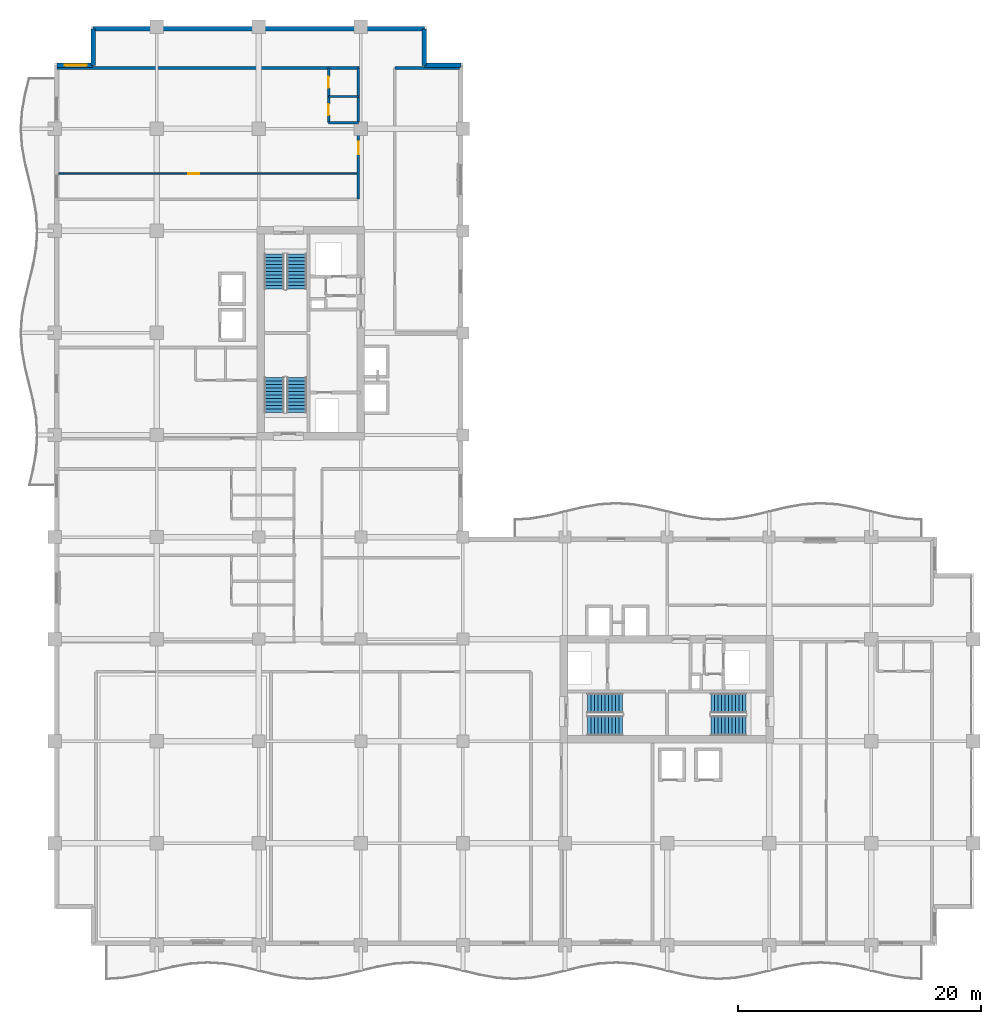
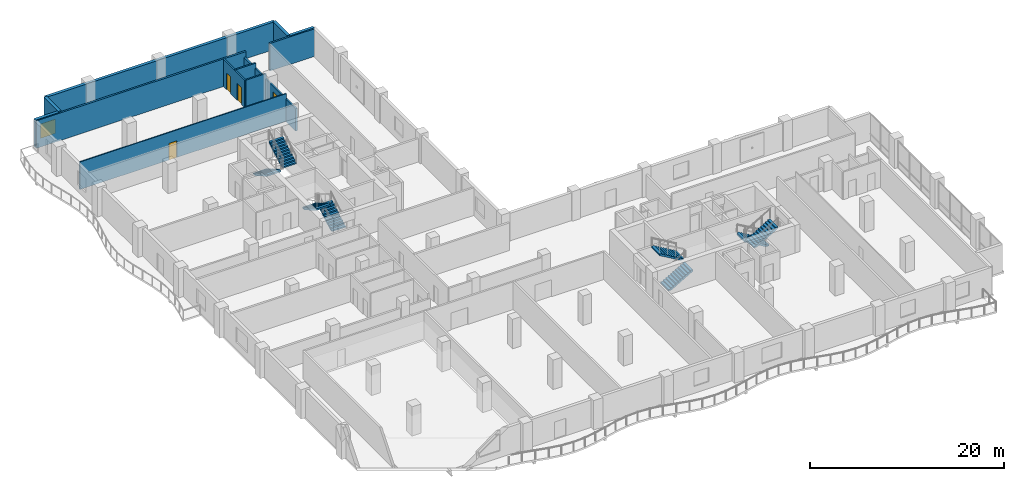
# One storey, part 14 of 20: 12 walls, 8 stair flights, 4 doors, 1 window, 5 openings, 4 elements without a shape of their own.
"""IFC4 building model written with IfcOpenShell, lengths in metres."""

from ifc_helpers import new_model, si_unit, direction, frame, frame_2d, origin, place, context, subcontext, project, spatial, polyline, rectangle, outline, extrude, material, layer, layer_set, type_object, element, fill, aggregate, save


model = new_model("IFC4")

# Units and contexts
model_context = context("Model", 3, precision=1e-05, world=origin(), true_north=direction((0.0, 1.0)))
body_context = subcontext(model_context, "Body", "Model", "MODEL_VIEW")
ifc_project = project(units=[si_unit("LENGTHUNIT", "METRE"), si_unit("AREAUNIT", "SQUARE_METRE"), si_unit("VOLUMEUNIT", "CUBIC_METRE"), si_unit("PLANEANGLEUNIT", "RADIAN"), si_unit("MASSUNIT", "GRAM", prefix="KILO")], contexts=[model_context])

# Site, building, storey
site_placement = place(None, origin())
site = spatial("IfcSite", under=ifc_project, at=site_placement, CompositionType="ELEMENT")
building_placement = place(site_placement, origin())
building = spatial("IfcBuilding", under=site, at=building_placement, Name="Koriwani Terraces Tower", CompositionType="ELEMENT")
storey_placement = place(building_placement, frame((0.0, 0.0, 212.39990234375)))
storey = spatial("IfcBuildingStorey", under=building, at=storey_placement, Name="L52", CompositionType="ELEMENT", Elevation=212.39990234375)

# Wall, opening, door
ifc_material_1 = material(Name="Autoclaved Cellular Concrete Blockwork", Category="masonry")
ifc_layer_1 = layer(ifc_material_1, 0.199951171875, Name="Autoclaved Cellular Concrete Blockwork")
ifc_layer_set_1 = layer_set([ifc_layer_1], Name="Autoclaved Cellular Concrete Blockwork")
wall_type_1 = type_object("IfcWallType", Name="WALL_CORRIDOR_200", PredefinedType="PARTITIONING", material=ifc_layer_set_1)
wall_1_placement = place(storey_placement, frame((25.0, 61.39990234375, 0.0), z_axis=(0.0, 0.0, 1.0), x_axis=(0.0, 1.0, 0.0)))
wall_1 = element("IfcWall", 1, at=wall_1_placement, inside=storey, type_object=wall_type_1, Name="L52 Interior Wall WRCOR-L52-NE-0", PredefinedType="PARTITIONING", context=body_context, shape_type="SweptSolid", body=[
    extrude(rectangle(XDim=10.800048828125, YDim=0.199951171875, at=frame_2d((5.39990234375, 0.0))), origin(), (0.0, 0.0, 1.0), 2.820068359375),
])
opening_1_placement = place(wall_1_placement, frame((3.719970703125, 0.0, 0.0)))
opening_1 = element("IfcOpeningElement", 2, at=opening_1_placement, cuts=wall_1, Name="Opening D-05", PredefinedType="OPENING", context=body_context, shape_type="SweptSolid", body=[
    extrude(rectangle(XDim=1.0, YDim=2.14990234375, at=frame_2d((0.5, 1.074951171875))), frame((0.0, 0.10986328125, 0.0), z_axis=(0.0, -1.0, 0.0), x_axis=(1.0, 0.0, 0.0)), (0.0, 0.0, 1.0), 0.219970703125),
])
ifc_material_2 = material(Name="Architectural Oak Fire Door", Category="wood")
door_type_1 = type_object("IfcDoorType", Name="DOOR_SUITE_ENTRY_1000X2150", OperationType="NOTDEFINED", PredefinedType="DOOR", material=ifc_material_2)
door_1_placement = place(opening_1_placement, origin())
door_1 = element("IfcDoor", 3, at=door_1_placement, inside=storey, type_object=door_type_1, Name="Apartment 52NE1 Entrance Door", OperationType="SINGLE_SWING_LEFT", OverallHeight=2.14990234375, OverallWidth=1.0, PredefinedType="DOOR", context=body_context, shape_type="SweptSolid", body=[
    extrude(rectangle(XDim=1.0, YDim=2.14990234375, at=frame_2d((0.5, 1.074951171875))), frame((0.0, 0.02490234375, 0.0), z_axis=(0.0, -1.0, 0.0), x_axis=(1.0, 0.0, 0.0)), (0.0, 0.0, 1.0), 0.050048828125),
])
fill(opening_1, door_1)

# Walls
ifc_layer_2 = layer(ifc_material_1, 0.219970703125, Name="Autoclaved Cellular Concrete Blockwork")
ifc_layer_set_2 = layer_set([ifc_layer_2], Name="Autoclaved Cellular Concrete Blockwork")
wall_type_2 = type_object("IfcWallType", Name="WALL_DEMISING_220", PredefinedType="PARTITIONING", material=ifc_layer_set_2)
wall_2_placement = place(storey_placement, frame((0.199951171875, 72.199951171875, 0.0), z_axis=(0.0, 0.0, 1.0), x_axis=(1.0, 0.0, 0.0)))
element("IfcWall", 4, at=wall_2_placement, inside=storey, type_object=wall_type_2, Name="L52 Interior Wall WRDEME-L52-NE", PredefinedType="PARTITIONING", context=body_context, shape_type="SweptSolid", body=[
    extrude(rectangle(XDim=24.97998046875, YDim=0.219970703125, at=frame_2d((12.489990234375, 0.0))), origin(), (0.0, 0.0, 1.0), 3.47021484375),
])
wall_3_placement = place(storey_placement, frame((28.0, 72.199951171875, 0.0), z_axis=(0.0, 0.0, 1.0), x_axis=(1.0, 0.0, 0.0)))
element("IfcWall", 5, at=wall_3_placement, inside=storey, type_object=wall_type_2, Name="L52 Interior Wall WNEC-N-L52", PredefinedType="PARTITIONING", context=body_context, shape_type="SweptSolid", body=[
    extrude(rectangle(XDim=5.300048828125, YDim=0.219970703125, at=frame_2d((2.64990234375, 0.0))), origin(), (0.0, 0.0, 1.0), 3.47021484375),
])

# Wall, opening, window
ifc_material_3 = material(Name="Concrete C50/60", Category="concrete")
ifc_layer_3 = layer(ifc_material_3, 0.35009765625, Name="Concrete C50/60")
ifc_layer_set_3 = layer_set([ifc_layer_3], Name="Concrete C50/60")
wall_type_3 = type_object("IfcWallType", Name="WALL_EXT_BRUTALIST_350", PredefinedType="STANDARD", material=ifc_layer_set_3)
wall_4_placement = place(storey_placement, frame((0.175048828125, 72.425048828125, 0.0), z_axis=(0.0, 0.0, 1.0), x_axis=(1.0, 0.0, 0.0)))
wall_4 = element("IfcWall", 6, at=wall_4_placement, inside=storey, type_object=wall_type_3, Name="L52 Fair-Faced Brutalist Exterior Wall (N3)", PredefinedType="STANDARD", context=body_context, shape_type="SweptSolid", body=[
    extrude(rectangle(XDim=3.0, YDim=0.35009765625, at=frame_2d((1.5, 0.0))), origin(), (0.0, 0.0, 1.0), 3.47021484375),
])
opening_2_placement = place(wall_4_placement, frame((0.677490234375, 0.0, 0.85009765625)))
opening_2 = element("IfcOpeningElement", 7, at=opening_2_placement, cuts=wall_4, Name="Opening W-04", PredefinedType="OPENING", context=body_context, shape_type="SweptSolid", body=[
    extrude(rectangle(XDim=1.800048828125, YDim=1.800048828125, at=frame_2d((0.89990234375, 0.89990234375))), frame((0.0, 0.18505859375, 0.0), z_axis=(0.0, -1.0, 0.0), x_axis=(1.0, 0.0, 0.0)), (0.0, 0.0, 1.0), 0.3701171875),
])
ifc_material_4 = material(Name="Tempered Laminated Low-E Glass", Category="glass")
window_type = type_object("IfcWindowType", Name="WIN_RES_BED_1800X1800", PartitioningType="DOUBLE_PANEL_VERTICAL", PredefinedType="WINDOW", material=ifc_material_4)
window_placement = place(opening_2_placement, origin())
window = element("IfcWindow", 8, at=window_placement, inside=storey, type_object=window_type, Name="L52 Exterior Window (N3-R45)", OverallHeight=1.800048828125, OverallWidth=1.800048828125, PartitioningType="SINGLE_PANEL", PredefinedType="WINDOW", context=body_context, shape_type="SweptSolid", body=[
    extrude(rectangle(XDim=1.800048828125, YDim=1.800048828125, at=frame_2d((0.89990234375, 0.89990234375))), frame((0.0, 0.030029296875, 0.0), z_axis=(0.0, -1.0, 0.0), x_axis=(1.0, 0.0, 0.0)), (0.0, 0.0, 1.0), 0.06005859375),
])
fill(opening_2, window)

# Walls
wall_5_placement = place(storey_placement, frame((3.175048828125, 72.425048828125, 0.0), z_axis=(0.0, 0.0, 1.0), x_axis=(0.0, 1.0, 0.0)))
element("IfcWall", 9, at=wall_5_placement, inside=storey, type_object=wall_type_3, Name="L52 Fair-Faced Brutalist Exterior Wall (N4)", PredefinedType="STANDARD", context=body_context, shape_type="SweptSolid", body=[
    extrude(rectangle(XDim=3.0, YDim=0.35009765625, at=frame_2d((1.5, 0.0))), origin(), (0.0, 0.0, 1.0), 3.47021484375),
])
wall_6_placement = place(storey_placement, frame((3.175048828125, 75.425048828125, 0.0), z_axis=(0.0, 0.0, 1.0), x_axis=(1.0, 0.0, 0.0)))
element("IfcWall", 10, at=wall_6_placement, inside=storey, type_object=wall_type_3, Name="L52 Fair-Faced Brutalist Exterior Wall (N_TIP)", PredefinedType="STANDARD", context=body_context, shape_type="SweptSolid", body=[
    extrude(rectangle(XDim=27.25, YDim=0.35009765625, at=frame_2d((13.625, 0.0))), origin(), (0.0, 0.0, 1.0), 3.47021484375),
])
for number, where, z_axis, x_axis, name in (
    (11, (30.425048828125, 75.425048828125, 0.0), (0.0, 0.0, 1.0), (0.0, -1.0, 0.0), "L52 Fair-Faced Brutalist Exterior Wall (N6)"),
    (12, (30.425048828125, 72.425048828125, 0.0), (0.0, 0.0, 1.0), (1.0, 0.0, 0.0), "L52 Fair-Faced Brutalist Exterior Wall (N7)"),
):
    element("IfcWall", number, at=place(storey_placement, frame(where, z_axis=z_axis, x_axis=x_axis)), inside=storey, type_object=wall_type_3, Name=name, PredefinedType="STANDARD", context=body_context, shape_type="SweptSolid", body=[
        extrude(rectangle(XDim=3.0, YDim=0.35009765625, at=frame_2d((1.5, 0.0))), origin(), (0.0, 0.0, 1.0), 3.47021484375),
    ])

# Wall, opening, door
ifc_material_5 = material(Name="Fire-Rated Acoustic Gypsum Partition", Category="masonry")
ifc_layer_4 = layer(ifc_material_5, 0.125, Name="Fire-Rated Acoustic Gypsum Partition")
ifc_layer_set_4 = layer_set([ifc_layer_4], Name="Fire-Rated Acoustic Gypsum Partition")
wall_type_4 = type_object("IfcWallType", Name="WALL_INT_125", PredefinedType="PARTITIONING", material=ifc_layer_set_4)
wall_7_placement = place(storey_placement, frame((0.35009765625, 63.5, 0.0), z_axis=(0.0, 0.0, 1.0), x_axis=(1.0, 0.0, 0.0)))
wall_7 = element("IfcWall", 13, at=wall_7_placement, inside=storey, type_object=wall_type_4, Name="L52 Interior Wall WRBED1-L52-NE-0", PredefinedType="PARTITIONING", context=body_context, shape_type="SweptSolid", body=[
    extrude(rectangle(XDim=24.64990234375, YDim=0.125, at=frame_2d((12.324951171875, 0.0))), origin(), (0.0, 0.0, 1.0), 3.47021484375),
])
opening_3_placement = place(wall_7_placement, frame((10.639892578125, 0.0, 0.0)))
opening_3 = element("IfcOpeningElement", 14, at=opening_3_placement, cuts=wall_7, Name="Opening D-06", PredefinedType="OPENING", context=body_context, shape_type="SweptSolid", body=[
    extrude(rectangle(XDim=0.919921875, YDim=2.10009765625, at=frame_2d((0.4599609375, 1.050048828125))), frame((0.0, 0.072509765625, 0.0), z_axis=(0.0, -1.0, 0.0), x_axis=(1.0, 0.0, 0.0)), (0.0, 0.0, 1.0), 0.14501953125),
])
door_type_2 = type_object("IfcDoorType", Name="DOOR_ROOM_INT_920X2100", OperationType="NOTDEFINED", PredefinedType="DOOR", material=ifc_material_2)
door_2_placement = place(opening_3_placement, origin())
door_2 = element("IfcDoor", 15, at=door_2_placement, inside=storey, type_object=door_type_2, Name="Apartment 52NE1 Master Bedroom Door", OperationType="SINGLE_SWING_RIGHT", OverallHeight=2.10009765625, OverallWidth=0.919921875, PredefinedType="DOOR", context=body_context, shape_type="SweptSolid", body=[
    extrude(rectangle(XDim=0.919921875, YDim=2.10009765625, at=frame_2d((0.4599609375, 1.050048828125))), frame((0.0, 0.02490234375, 0.0), z_axis=(0.0, -1.0, 0.0), x_axis=(1.0, 0.0, 0.0)), (0.0, 0.0, 1.0), 0.050048828125),
])
fill(opening_3, door_2)

# Wall, openings, doors
ifc_layer_5 = layer(ifc_material_5, 0.179931640625, Name="Fire-Rated Acoustic Gypsum Partition")
ifc_layer_set_5 = layer_set([ifc_layer_5], Name="Fire-Rated Acoustic Gypsum Partition")
wall_type_5 = type_object("IfcWallType", Name="WALL_PLUMBING_180", PredefinedType="PLUMBINGWALL", material=ifc_layer_set_5)
wall_8_placement = place(storey_placement, frame((22.550048828125, 67.699951171875, 0.0), z_axis=(0.0, 0.0, 1.0), x_axis=(0.0, 1.0, 0.0)))
wall_8 = element("IfcWall", 16, at=wall_8_placement, inside=storey, type_object=wall_type_5, Name="L52 Interior Wall WRSVC-L52-NE-0", PredefinedType="PLUMBINGWALL", context=body_context, shape_type="SweptSolid", body=[
    extrude(rectangle(XDim=4.5, YDim=0.179931640625, at=frame_2d((2.25, 0.0))), origin(), (0.0, 0.0, 1.0), 3.47021484375),
])
opening_4_placement = place(wall_8_placement, frame((0.6298828125, 0.0, 0.0)))
opening_4 = element("IfcOpeningElement", 17, at=opening_4_placement, cuts=wall_8, Name="Opening D-07", PredefinedType="OPENING", context=body_context, shape_type="SweptSolid", body=[
    extrude(rectangle(XDim=0.89990234375, YDim=2.10009765625, at=frame_2d((0.449951171875, 1.050048828125))), frame((0.0, 0.10009765625, 0.0), z_axis=(0.0, -1.0, 0.0), x_axis=(1.0, 0.0, 0.0)), (0.0, 0.0, 1.0), 0.199951171875),
])
opening_5_placement = place(wall_8_placement, frame((2.8701171875, 0.0, 0.0)))
opening_5 = element("IfcOpeningElement", 18, at=opening_5_placement, cuts=wall_8, Name="Opening D-06", PredefinedType="OPENING", context=body_context, shape_type="SweptSolid", body=[
    extrude(rectangle(XDim=0.919921875, YDim=2.10009765625, at=frame_2d((0.4599609375, 1.050048828125))), frame((0.0, 0.10009765625, 0.0), z_axis=(0.0, -1.0, 0.0), x_axis=(1.0, 0.0, 0.0)), (0.0, 0.0, 1.0), 0.199951171875),
])
door_type_3 = type_object("IfcDoorType", Name="DOOR_BATH_INT_900X2100", OperationType="NOTDEFINED", PredefinedType="DOOR", material=ifc_material_2)
door_3_placement = place(opening_4_placement, origin())
door_3 = element("IfcDoor", 19, at=door_3_placement, inside=storey, type_object=door_type_3, Name="Apartment 52NE1 Bathroom Door", OperationType="SINGLE_SWING_RIGHT", OverallHeight=2.10009765625, OverallWidth=0.89990234375, PredefinedType="DOOR", context=body_context, shape_type="SweptSolid", body=[
    extrude(rectangle(XDim=0.89990234375, YDim=2.10009765625, at=frame_2d((0.449951171875, 1.050048828125))), frame((0.0, 0.02490234375, 0.0), z_axis=(0.0, -1.0, 0.0), x_axis=(1.0, 0.0, 0.0)), (0.0, 0.0, 1.0), 0.050048828125),
])
fill(opening_4, door_3)
door_4_placement = place(opening_5_placement, origin())
door_4 = element("IfcDoor", 20, at=door_4_placement, inside=storey, type_object=door_type_2, Name="Apartment 52NE1 Kitchen Door", OperationType="SINGLE_SWING_LEFT", OverallHeight=2.10009765625, OverallWidth=0.919921875, PredefinedType="DOOR", context=body_context, shape_type="SweptSolid", body=[
    extrude(rectangle(XDim=0.919921875, YDim=2.10009765625, at=frame_2d((0.4599609375, 1.050048828125))), frame((0.0, 0.02490234375, 0.0), z_axis=(0.0, -1.0, 0.0), x_axis=(1.0, 0.0, 0.0)), (0.0, 0.0, 1.0), 0.050048828125),
])
fill(opening_5, door_4)

# Walls
for number, where, z_axis, x_axis, name in (
    (21, (22.550048828125, 67.699951171875, 0.0), (0.0, 0.0, 1.0), (1.0, 0.0, 0.0), "L52 Interior Wall WRSVCS-L52-NE-0"),
    (22, (22.550048828125, 69.860107421875, 0.0), (0.0, 0.0, 1.0), (1.0, 0.0, 0.0), "L52 Interior Wall WRSVCM-L52-NE-0"),
):
    element("IfcWall", number, at=place(storey_placement, frame(where, z_axis=z_axis, x_axis=x_axis)), inside=storey, type_object=wall_type_5, Name=name, PredefinedType="PLUMBINGWALL", context=body_context, shape_type="SweptSolid", body=[
        extrude(rectangle(XDim=2.449951171875, YDim=0.179931640625, at=frame_2d((1.22509765625, 0.0))), origin(), (0.0, 0.0, 1.0), 3.47021484375),
    ])

# Stair, stair flights
ifc_material_6 = material(Name="Concrete C40/50", Category="concrete")
stair_type = type_object("IfcStairType", Name="STAIR_CORE_DOGLEG_1650", PredefinedType="TWO_STRAIGHT_RUN_STAIR", material=ifc_material_6)
stair_1_placement = place(storey_placement, origin())
stair_1 = element("IfcStair", 23, at=stair_1_placement, inside=storey, type_object=stair_type, Name="L52 West Core Exit Stair 1", PredefinedType="HALF_TURN_STAIR")
stair_flight_type = type_object("IfcStairFlightType", Name="STAIR_FLIGHT_RC_1650", PredefinedType="STRAIGHT", material=ifc_material_6)
stair_flight_1_placement = place(storey_placement, frame((19.925048828125, 43.85009765625, 0.0), z_axis=(0.0, 0.0, 1.0), x_axis=(0.0, 1.0, 0.0)))
stair_flight_1 = element("IfcStairFlight", 24, at=stair_flight_1_placement, type_object=stair_flight_type, Name="ST-W1 flight 1", NumberOfRisers=11, NumberOfTreads=10, PredefinedType="STRAIGHT", RiserHeight=0.168181818, TreadLength=0.29, context=body_context, shape_type="SweptSolid", body=[
    extrude(outline(polyline([(0.0, 0.0), (0.0, 0.168212890625), (0.2900390625, 0.168212890625), (0.2900390625, 0.33642578125), (0.580078125, 0.33642578125), (0.580078125, 0.504638671875), (0.8701171875, 0.504638671875), (0.8701171875, 0.672607421875), (1.159912109375, 0.672607421875), (1.159912109375, 0.8408203125), (1.449951171875, 0.8408203125), (1.449951171875, 1.009033203125), (1.739990234375, 1.009033203125), (1.739990234375, 1.17724609375), (2.030029296875, 1.17724609375), (2.030029296875, 1.345458984375), (2.320068359375, 1.345458984375), (2.320068359375, 1.513671875), (2.610107421875, 1.513671875), (2.610107421875, 1.681884765625), (2.89990234375, 1.681884765625), (2.89990234375, 1.85009765625), (2.89990234375, 1.473876953125), (0.358642578125, 0.0), (0.0, 0.0)])), frame((0.0, 0.824951171875, 0.0), z_axis=(0.0, -1.0, 0.0), x_axis=(1.0, 0.0, 0.0)), (0.0, 0.0, 1.0), 1.64990234375),
])
stair_flight_2_placement = place(storey_placement, frame((18.074951171875, 46.75, 1.85009765625), z_axis=(0.0, 0.0, 1.0), x_axis=(0.0, -1.0, 0.0)))
stair_flight_2 = element("IfcStairFlight", 25, at=stair_flight_2_placement, type_object=stair_flight_type, Name="ST-W1 flight 2", NumberOfRisers=11, NumberOfTreads=10, PredefinedType="STRAIGHT", RiserHeight=0.168181818, TreadLength=0.29, context=body_context, shape_type="SweptSolid", body=[
    extrude(outline(polyline([(0.0, 0.0), (0.0, 0.168212890625), (0.2900390625, 0.168212890625), (0.2900390625, 0.33642578125), (0.580078125, 0.33642578125), (0.580078125, 0.504638671875), (0.8701171875, 0.504638671875), (0.8701171875, 0.672607421875), (1.159912109375, 0.672607421875), (1.159912109375, 0.8408203125), (1.449951171875, 0.8408203125), (1.449951171875, 1.009033203125), (1.739990234375, 1.009033203125), (1.739990234375, 1.17724609375), (2.030029296875, 1.17724609375), (2.030029296875, 1.345458984375), (2.320068359375, 1.345458984375), (2.320068359375, 1.513671875), (2.610107421875, 1.513671875), (2.610107421875, 1.681884765625), (2.89990234375, 1.681884765625), (2.89990234375, 1.85009765625), (2.89990234375, 1.473876953125), (0.358642578125, 0.0), (0.0, 0.0)])), frame((0.0, 0.824951171875, 0.0), z_axis=(0.0, -1.0, 0.0), x_axis=(1.0, 0.0, 0.0)), (0.0, 0.0, 1.0), 1.64990234375),
])
aggregate(stair_1, [stair_flight_1, stair_flight_2])

stair_2_placement = place(storey_placement, origin())
stair_2 = element("IfcStair", 26, at=stair_2_placement, inside=storey, type_object=stair_type, Name="L52 West Core Exit Stair 2", PredefinedType="HALF_TURN_STAIR")
stair_flight_3_placement = place(storey_placement, frame((18.074951171875, 56.89990234375, 0.0), z_axis=(0.0, 0.0, 1.0), x_axis=(0.0, -1.0, 0.0)))
stair_flight_3 = element("IfcStairFlight", 27, at=stair_flight_3_placement, type_object=stair_flight_type, Name="ST-W2 flight 1", NumberOfRisers=11, NumberOfTreads=10, PredefinedType="STRAIGHT", RiserHeight=0.168181818, TreadLength=0.29, context=body_context, shape_type="SweptSolid", body=[
    extrude(outline(polyline([(0.0, 0.0), (0.0, 0.168212890625), (0.2900390625, 0.168212890625), (0.2900390625, 0.33642578125), (0.580078125, 0.33642578125), (0.580078125, 0.504638671875), (0.8701171875, 0.504638671875), (0.8701171875, 0.672607421875), (1.159912109375, 0.672607421875), (1.159912109375, 0.8408203125), (1.449951171875, 0.8408203125), (1.449951171875, 1.009033203125), (1.739990234375, 1.009033203125), (1.739990234375, 1.17724609375), (2.030029296875, 1.17724609375), (2.030029296875, 1.345458984375), (2.320068359375, 1.345458984375), (2.320068359375, 1.513671875), (2.610107421875, 1.513671875), (2.610107421875, 1.681884765625), (2.89990234375, 1.681884765625), (2.89990234375, 1.85009765625), (2.89990234375, 1.473876953125), (0.358642578125, 0.0), (0.0, 0.0)])), frame((0.0, 0.824951171875, 0.0), z_axis=(0.0, -1.0, 0.0), x_axis=(1.0, 0.0, 0.0)), (0.0, 0.0, 1.0), 1.64990234375),
])
stair_flight_4_placement = place(storey_placement, frame((19.925048828125, 54.0, 1.85009765625), z_axis=(0.0, 0.0, 1.0), x_axis=(0.0, 1.0, 0.0)))
stair_flight_4 = element("IfcStairFlight", 28, at=stair_flight_4_placement, type_object=stair_flight_type, Name="ST-W2 flight 2", NumberOfRisers=11, NumberOfTreads=10, PredefinedType="STRAIGHT", RiserHeight=0.168181818, TreadLength=0.29, context=body_context, shape_type="SweptSolid", body=[
    extrude(outline(polyline([(0.0, 0.0), (0.0, 0.168212890625), (0.2900390625, 0.168212890625), (0.2900390625, 0.33642578125), (0.580078125, 0.33642578125), (0.580078125, 0.504638671875), (0.8701171875, 0.504638671875), (0.8701171875, 0.672607421875), (1.159912109375, 0.672607421875), (1.159912109375, 0.8408203125), (1.449951171875, 0.8408203125), (1.449951171875, 1.009033203125), (1.739990234375, 1.009033203125), (1.739990234375, 1.17724609375), (2.030029296875, 1.17724609375), (2.030029296875, 1.345458984375), (2.320068359375, 1.345458984375), (2.320068359375, 1.513671875), (2.610107421875, 1.513671875), (2.610107421875, 1.681884765625), (2.89990234375, 1.681884765625), (2.89990234375, 1.85009765625), (2.89990234375, 1.473876953125), (0.358642578125, 0.0), (0.0, 0.0)])), frame((0.0, 0.824951171875, 0.0), z_axis=(0.0, -1.0, 0.0), x_axis=(1.0, 0.0, 0.0)), (0.0, 0.0, 1.0), 1.64990234375),
])
aggregate(stair_2, [stair_flight_3, stair_flight_4])

stair_3_placement = place(storey_placement, origin())
stair_3 = element("IfcStair", 29, at=stair_3_placement, inside=storey, type_object=stair_type, Name="L52 East Core Exit Stair 1", PredefinedType="HALF_TURN_STAIR")
stair_flight_5_placement = place(storey_placement, frame((43.85009765625, 18.074951171875, 0.0), z_axis=(0.0, 0.0, 1.0), x_axis=(1.0, 0.0, 0.0)))
stair_flight_5 = element("IfcStairFlight", 30, at=stair_flight_5_placement, type_object=stair_flight_type, Name="ST-E1 flight 1", NumberOfRisers=11, NumberOfTreads=10, PredefinedType="STRAIGHT", RiserHeight=0.168181818, TreadLength=0.29, context=body_context, shape_type="SweptSolid", body=[
    extrude(outline(polyline([(0.0, 0.0), (0.0, 0.168212890625), (0.2900390625, 0.168212890625), (0.2900390625, 0.33642578125), (0.580078125, 0.33642578125), (0.580078125, 0.504638671875), (0.8701171875, 0.504638671875), (0.8701171875, 0.672607421875), (1.159912109375, 0.672607421875), (1.159912109375, 0.8408203125), (1.449951171875, 0.8408203125), (1.449951171875, 1.009033203125), (1.739990234375, 1.009033203125), (1.739990234375, 1.17724609375), (2.030029296875, 1.17724609375), (2.030029296875, 1.345458984375), (2.320068359375, 1.345458984375), (2.320068359375, 1.513671875), (2.610107421875, 1.513671875), (2.610107421875, 1.681884765625), (2.89990234375, 1.681884765625), (2.89990234375, 1.85009765625), (2.89990234375, 1.473876953125), (0.358642578125, 0.0), (0.0, 0.0)])), frame((0.0, 0.824951171875, 0.0), z_axis=(0.0, -1.0, 0.0), x_axis=(1.0, 0.0, 0.0)), (0.0, 0.0, 1.0), 1.64990234375),
])
stair_flight_6_placement = place(storey_placement, frame((46.75, 19.925048828125, 1.85009765625), z_axis=(0.0, 0.0, 1.0), x_axis=(-1.0, 0.0, 0.0)))
stair_flight_6 = element("IfcStairFlight", 31, at=stair_flight_6_placement, type_object=stair_flight_type, Name="ST-E1 flight 2", NumberOfRisers=11, NumberOfTreads=10, PredefinedType="STRAIGHT", RiserHeight=0.168181818, TreadLength=0.29, context=body_context, shape_type="SweptSolid", body=[
    extrude(outline(polyline([(0.0, 0.0), (0.0, 0.168212890625), (0.2900390625, 0.168212890625), (0.2900390625, 0.33642578125), (0.580078125, 0.33642578125), (0.580078125, 0.504638671875), (0.8701171875, 0.504638671875), (0.8701171875, 0.672607421875), (1.159912109375, 0.672607421875), (1.159912109375, 0.8408203125), (1.449951171875, 0.8408203125), (1.449951171875, 1.009033203125), (1.739990234375, 1.009033203125), (1.739990234375, 1.17724609375), (2.030029296875, 1.17724609375), (2.030029296875, 1.345458984375), (2.320068359375, 1.345458984375), (2.320068359375, 1.513671875), (2.610107421875, 1.513671875), (2.610107421875, 1.681884765625), (2.89990234375, 1.681884765625), (2.89990234375, 1.85009765625), (2.89990234375, 1.473876953125), (0.358642578125, 0.0), (0.0, 0.0)])), frame((0.0, 0.824951171875, 0.0), z_axis=(0.0, -1.0, 0.0), x_axis=(1.0, 0.0, 0.0)), (0.0, 0.0, 1.0), 1.64990234375),
])
aggregate(stair_3, [stair_flight_5, stair_flight_6])

stair_4_placement = place(storey_placement, origin())
stair_4 = element("IfcStair", 32, at=stair_4_placement, inside=storey, type_object=stair_type, Name="L52 East Core Exit Stair 2", PredefinedType="HALF_TURN_STAIR")
stair_flight_7_placement = place(storey_placement, frame((56.89990234375, 19.925048828125, 0.0), z_axis=(0.0, 0.0, 1.0), x_axis=(-1.0, 0.0, 0.0)))
stair_flight_7 = element("IfcStairFlight", 33, at=stair_flight_7_placement, type_object=stair_flight_type, Name="ST-E2 flight 1", NumberOfRisers=11, NumberOfTreads=10, PredefinedType="STRAIGHT", RiserHeight=0.168181818, TreadLength=0.29, context=body_context, shape_type="SweptSolid", body=[
    extrude(outline(polyline([(0.0, 0.0), (0.0, 0.168212890625), (0.2900390625, 0.168212890625), (0.2900390625, 0.33642578125), (0.580078125, 0.33642578125), (0.580078125, 0.504638671875), (0.8701171875, 0.504638671875), (0.8701171875, 0.672607421875), (1.159912109375, 0.672607421875), (1.159912109375, 0.8408203125), (1.449951171875, 0.8408203125), (1.449951171875, 1.009033203125), (1.739990234375, 1.009033203125), (1.739990234375, 1.17724609375), (2.030029296875, 1.17724609375), (2.030029296875, 1.345458984375), (2.320068359375, 1.345458984375), (2.320068359375, 1.513671875), (2.610107421875, 1.513671875), (2.610107421875, 1.681884765625), (2.89990234375, 1.681884765625), (2.89990234375, 1.85009765625), (2.89990234375, 1.473876953125), (0.358642578125, 0.0), (0.0, 0.0)])), frame((0.0, 0.824951171875, 0.0), z_axis=(0.0, -1.0, 0.0), x_axis=(1.0, 0.0, 0.0)), (0.0, 0.0, 1.0), 1.64990234375),
])
stair_flight_8_placement = place(storey_placement, frame((54.0, 18.074951171875, 1.85009765625), z_axis=(0.0, 0.0, 1.0), x_axis=(1.0, 0.0, 0.0)))
stair_flight_8 = element("IfcStairFlight", 34, at=stair_flight_8_placement, type_object=stair_flight_type, Name="ST-E2 flight 2", NumberOfRisers=11, NumberOfTreads=10, PredefinedType="STRAIGHT", RiserHeight=0.168181818, TreadLength=0.29, context=body_context, shape_type="SweptSolid", body=[
    extrude(outline(polyline([(0.0, 0.0), (0.0, 0.168212890625), (0.2900390625, 0.168212890625), (0.2900390625, 0.33642578125), (0.580078125, 0.33642578125), (0.580078125, 0.504638671875), (0.8701171875, 0.504638671875), (0.8701171875, 0.672607421875), (1.159912109375, 0.672607421875), (1.159912109375, 0.8408203125), (1.449951171875, 0.8408203125), (1.449951171875, 1.009033203125), (1.739990234375, 1.009033203125), (1.739990234375, 1.17724609375), (2.030029296875, 1.17724609375), (2.030029296875, 1.345458984375), (2.320068359375, 1.345458984375), (2.320068359375, 1.513671875), (2.610107421875, 1.513671875), (2.610107421875, 1.681884765625), (2.89990234375, 1.681884765625), (2.89990234375, 1.85009765625), (2.89990234375, 1.473876953125), (0.358642578125, 0.0), (0.0, 0.0)])), frame((0.0, 0.824951171875, 0.0), z_axis=(0.0, -1.0, 0.0), x_axis=(1.0, 0.0, 0.0)), (0.0, 0.0, 1.0), 1.64990234375),
])
aggregate(stair_4, [stair_flight_7, stair_flight_8])

save(model, "model.ifc")
